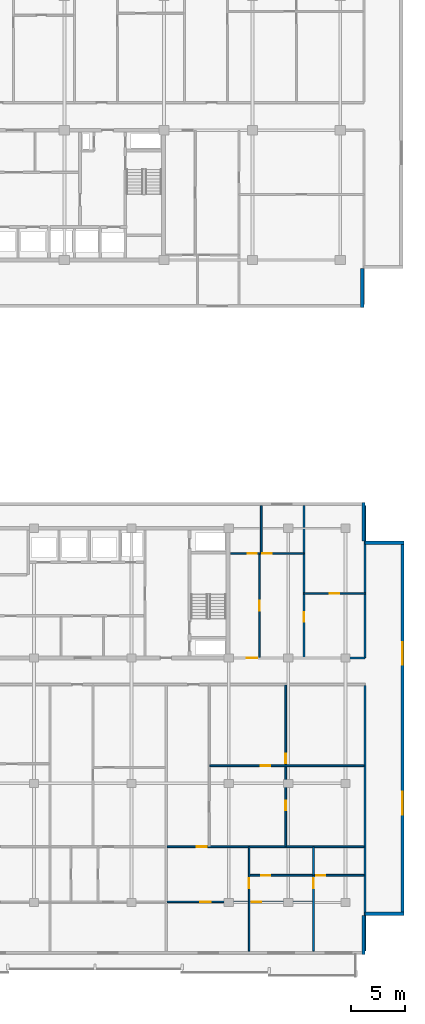
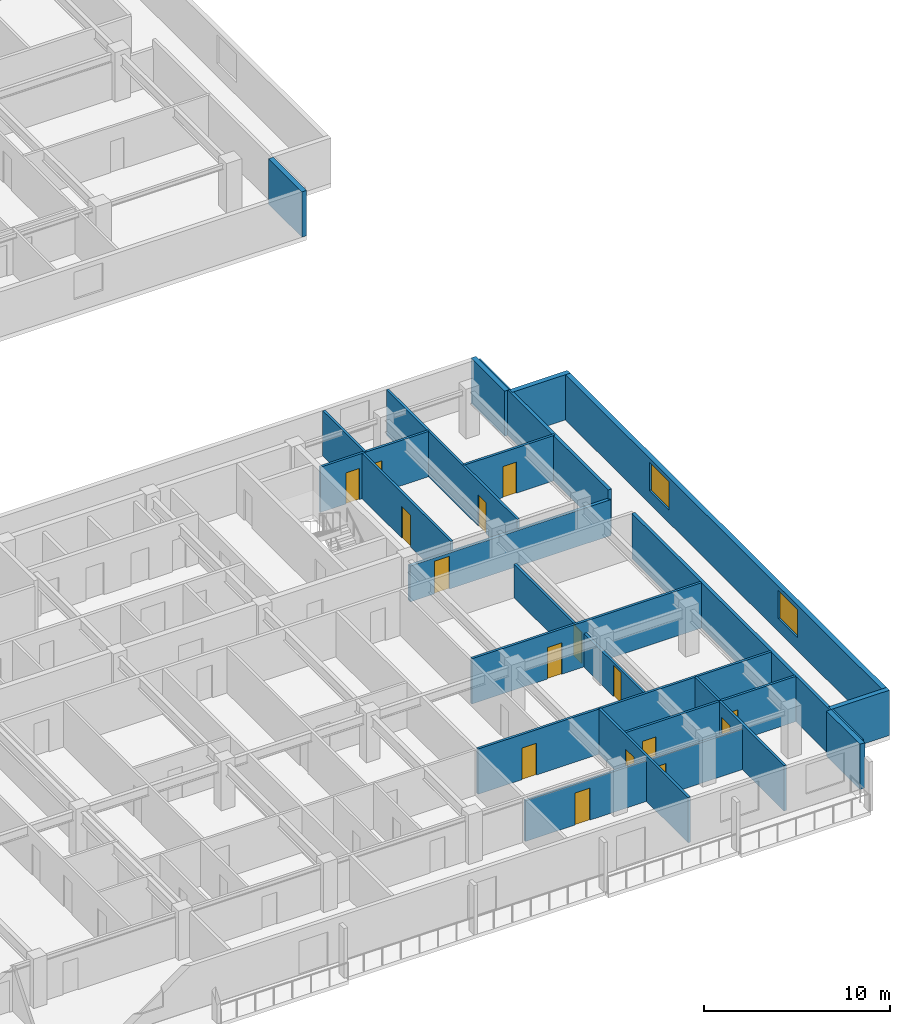
# One storey, part 9 of 21: 22 walls, 16 doors, 2 windows, 18 openings.
"""IFC4 building model written with IfcOpenShell, lengths in metres."""

import ifcopenshell
import ifcopenshell.guid

model = None  # the IFC model being written
_history = None  # IfcOwnerHistory: only IFC2X3 demands one
_inside = {}  # id of a spatial element -> (the spatial element, [elements in it])
_under = {}  # id of a project, library or spatial element -> (it, [spatial elements below it])
_declared = {}  # id of a project -> (the project, [libraries it declares])
_typed = {}  # id of a type object -> (the type object, [elements of that type])
_made_of = {}  # id of a material, layer set ... -> (it, [elements and type objects made of it])


def new_model(schema):
    """Start an empty IFC model of exactly this schema.

    Asked for "IFC4X3", IfcOpenShell would pick the latest addendum, in which some entities
    have other attributes; the version numbers below select the first issue.
    IFC2X3 requires an IfcOwnerHistory on every rooted entity: one is made here for all.
    """
    global model, _history
    if schema == "IFC4X3":
        model = ifcopenshell.file(schema_version=(4, 3, 0, 0))
    else:
        model = ifcopenshell.file(schema=schema)
    _inside.clear()
    _under.clear()
    _declared.clear()
    _typed.clear()
    _made_of.clear()
    _history = None
    if model.schema == "IFC2X3":
        org = make("IfcOrganization", Name="unknown")
        user = make(
            "IfcPersonAndOrganization",
            ThePerson=make("IfcPerson", FamilyName="unknown"),
            TheOrganization=org,
        )
        app = make(
            "IfcApplication",
            ApplicationDeveloper=org,
            Version="unknown",
            ApplicationFullName="unknown",
            ApplicationIdentifier="unknown",
        )
        _history = make(
            "IfcOwnerHistory",
            OwningUser=user,
            OwningApplication=app,
            ChangeAction="ADDED",
            CreationDate=0,
        )
    return model


def make(cls, **values):
    """One entity of the class cls with the attributes given. An attribute that is None is left unset."""
    return model.create_entity(
        cls, **{name: value for name, value in values.items() if value is not None}
    )


def rooted(cls, **values):
    """An entity with a GlobalId (a new one), such as an element, a storey or a relation."""
    return make(cls, GlobalId=ifcopenshell.guid.new(), OwnerHistory=_history, **values)


def si_unit(unit_type, name, prefix=None):
    """IfcSIUnit, for example si_unit("LENGTHUNIT", "METRE", prefix="MILLI")."""
    return make("IfcSIUnit", UnitType=unit_type, Prefix=prefix, Name=name)


def assignment(units):
    """IfcUnitAssignment: the units of a project."""
    return None if units is None else make("IfcUnitAssignment", Units=units)


def point(xyz):
    """IfcCartesianPoint."""
    return None if xyz is None else make("IfcCartesianPoint", Coordinates=xyz)


def direction(xyz):
    """IfcDirection."""
    return None if xyz is None else make("IfcDirection", DirectionRatios=xyz)


def frame(location, z_axis=None, x_axis=None):
    """IfcAxis2Placement3D, a coordinate frame: its origin and axes. An axis left out is left unset."""
    return make(
        "IfcAxis2Placement3D",
        Location=point(location),
        Axis=direction(z_axis),
        RefDirection=direction(x_axis),
    )


def frame_2d(location, x_axis=None):
    """IfcAxis2Placement2D, a coordinate frame in the plane: its origin and x axis."""
    return make(
        "IfcAxis2Placement2D", Location=point(location), RefDirection=direction(x_axis)
    )


def origin():
    """The frame at (0, 0, 0) with its axes left unset."""
    return frame((0.0, 0.0, 0.0))


def place(relative_to, where):
    """IfcLocalPlacement: puts the frame where relative to a parent placement (None: the world)."""
    return make(
        "IfcLocalPlacement", PlacementRelTo=relative_to, RelativePlacement=where
    )


def context(
    kind, dimensions, precision=None, world=None, true_north=None, identifier=None
):
    """IfcGeometricRepresentationContext, for example the 3D "Model" context."""
    return make(
        "IfcGeometricRepresentationContext",
        ContextIdentifier=identifier,
        ContextType=kind,
        CoordinateSpaceDimension=dimensions,
        Precision=precision,
        WorldCoordinateSystem=world,
        TrueNorth=true_north,
    )


def subcontext(parent, identifier, kind, view, scale=None):
    """IfcGeometricRepresentationSubContext, for example "Body" below "Model"."""
    return make(
        "IfcGeometricRepresentationSubContext",
        ContextIdentifier=identifier,
        ContextType=kind,
        ParentContext=parent,
        TargetScale=scale,
        TargetView=view,
    )


def project(units=None, contexts=None):
    """IfcProject with its units and contexts."""
    return rooted(
        "IfcProject",
        Name="project",
        RepresentationContexts=contexts,
        UnitsInContext=assignment(units),
    )


def spatial(cls, under=None, at=None, **own):
    """A site, building, storey or space (cls), placed at a placement, below another one or the project."""
    s = rooted(cls, ObjectPlacement=at, **own)
    if under is not None:
        _under.setdefault(under.id(), (under, []))[1].append(s)
    return s


def profile(cls, at=None, kind="AREA", **sizes):
    """A parametric profile (cls). Its sizes go by their IFC names, for example OverallWidth=200.0."""
    return make(cls, ProfileType=kind, Position=at, **sizes)


def rectangle(**sizes):
    """IfcRectangleProfileDef."""
    return profile("IfcRectangleProfileDef", **sizes)


def extrude(swept, where, along, depth):
    """IfcExtrudedAreaSolid: the profile swept, set in the frame where, extruded along a direction by depth."""
    return make(
        "IfcExtrudedAreaSolid",
        SweptArea=swept,
        Position=where,
        ExtrudedDirection=direction(along),
        Depth=depth,
    )


def shape(context_of_items, identifier, shape_type, items):
    """IfcShapeRepresentation: the items that make up one representation, for example the "Body"."""
    return make(
        "IfcShapeRepresentation",
        ContextOfItems=context_of_items,
        RepresentationIdentifier=identifier,
        RepresentationType=shape_type,
        Items=items,
    )


def material(Name=None, Category=None):
    """IfcMaterial."""
    return make("IfcMaterial", Name=Name, Category=Category)


def layer(
    of_material, thickness, ventilated=None, Name=None, Category=None, Priority=None
):
    """IfcMaterialLayer: one layer of a wall or slab, of a material (None: an air gap)."""
    return make(
        "IfcMaterialLayer",
        Material=of_material,
        LayerThickness=thickness,
        IsVentilated=ventilated,
        Name=Name,
        Category=Category,
        Priority=Priority,
    )


def layer_set(layers, Name=None):
    """IfcMaterialLayerSet."""
    return make("IfcMaterialLayerSet", MaterialLayers=layers, LayerSetName=Name)


def made_of(thing, what):
    """Note that an element or type object is made of a material, layer set ...; save() writes the relation."""
    if what is not None:
        _made_of.setdefault(what.id(), (what, []))[1].append(thing)
    return thing


def type_object(cls, material=None, **own):
    """A type object (cls), such as IfcWallType, which elements share."""
    return made_of(rooted(cls, **own), material)


def element(
    cls,
    number,
    at=None,
    inside=None,
    cuts=None,
    type_object=None,
    material=None,
    context=None,
    identifier="Body",
    shape_type=None,
    held_by="IfcProductDefinitionShape",
    body=None,
    shapes=None,
    **own,
):
    """One element of the class cls, such as IfcWall. Its Tag is "e" and its number.

    at: its placement. inside: the storey or other place that contains it. cuts: it is an
    opening in that element (IfcRelVoidsElement). A single representation is given by context,
    identifier, shape_type and body (its items); several are given by shapes. held_by: the class
    of the entity that holds the representations. save() writes the other relations.
    """
    e = rooted(cls, Tag="e%d" % number, ObjectPlacement=at, **own)
    if body is not None:
        shapes = [shape(context, identifier, shape_type, body)]
    if shapes is not None:
        e.Representation = make(held_by, Representations=shapes)
    if inside is not None:
        _inside.setdefault(inside.id(), (inside, []))[1].append(e)
    if cuts is not None:
        rooted(
            "IfcRelVoidsElement", RelatingBuildingElement=cuts, RelatedOpeningElement=e
        )
    if type_object is not None:
        _typed.setdefault(type_object.id(), (type_object, []))[1].append(e)
    return made_of(e, material)


def fill(opening, filler):
    """IfcRelFillsElement: the door or window that sits in an opening."""
    return rooted(
        "IfcRelFillsElement",
        RelatingOpeningElement=opening,
        RelatedBuildingElement=filler,
    )


def aggregate(whole, parts):
    """IfcRelAggregates: a whole, such as a stair, and the parts it consists of."""
    return rooted("IfcRelAggregates", RelatingObject=whole, RelatedObjects=parts)


def save(model, path):
    """Write the relations noted so far, then the file.

    IfcRelAggregates (storeys below a building ...), IfcRelContainedInSpatialStructure (elements
    in a storey), IfcRelDefinesByType, IfcRelAssociatesMaterial and IfcRelDeclares: one each for
    every whole, place, type object, material and project.
    """
    for whole, parts in _under.values():
        aggregate(whole, parts)
    for where, things in _inside.values():
        rooted(
            "IfcRelContainedInSpatialStructure",
            RelatedElements=things,
            RelatingStructure=where,
        )
    for kind, things in _typed.values():
        rooted("IfcRelDefinesByType", RelatedObjects=things, RelatingType=kind)
    for what, things in _made_of.values():
        rooted("IfcRelAssociatesMaterial", RelatedObjects=things, RelatingMaterial=what)
    for by, libraries in _declared.values():
        rooted("IfcRelDeclares", RelatingContext=by, RelatedDefinitions=libraries)
    model.write(path)


model = new_model("IFC4")

# Units and contexts
model_context = context("Model", 3, precision=1e-05, world=origin(), true_north=direction((0.0, 1.0)))
body_context = subcontext(model_context, "Body", "Model", "MODEL_VIEW")
ifc_project = project(units=[si_unit("LENGTHUNIT", "METRE"), si_unit("AREAUNIT", "SQUARE_METRE"), si_unit("VOLUMEUNIT", "CUBIC_METRE"), si_unit("PLANEANGLEUNIT", "RADIAN"), si_unit("MASSUNIT", "GRAM", prefix="KILO")], contexts=[model_context])

# Site, building, storey
site_placement = place(None, origin())
site = spatial("IfcSite", under=ifc_project, at=site_placement, CompositionType="ELEMENT")
building_placement = place(site_placement, origin())
building = spatial("IfcBuilding", under=site, at=building_placement, Name="Korimba Cascade Residences", CompositionType="ELEMENT")
storey_placement = place(building_placement, frame((0.0, 0.0, 103.550048828125)))
storey = spatial("IfcBuildingStorey", under=building, at=storey_placement, Name="L29", CompositionType="ELEMENT", Elevation=103.550048828125)

# Walls
ifc_material_1 = material(Name="Precast concrete C40/50", Category="concrete")
ifc_layer_1 = layer(ifc_material_1, 0.300048828125)
ifc_layer_set_1 = layer_set([ifc_layer_1], Name="Precast concrete C40/50")
wall_type_1 = type_object("IfcWallType", Name="EW-STONE-300", PredefinedType="STANDARD", material=ifc_layer_set_1)
wall_1_placement = place(storey_placement, frame((130.449951171875, 50.800048828125, 0.0), z_axis=(0.0, 0.0, 1.0), x_axis=(0.0, 1.0, 0.0)))
element("IfcWall", 1, at=wall_1_placement, inside=storey, type_object=wall_type_1, Name="L29 T1 Perimeter Stone Wall E01", PredefinedType="STANDARD", context=body_context, shape_type="SweptSolid", body=[
    extrude(rectangle(XDim=3.599853515625, YDim=0.300048828125, at=frame_2d((1.7998046875, 0.0))), origin(), (0.0, 0.0, 1.0), 2.969970703125),
])
for number, where, z_axis, x_axis, name in (
    (2, (130.550048828125, -9.0, 0.0), (0.0, 0.0, 1.0), (0.0, 1.0, 0.0), "L29 T2 Perimeter Stone Wall E01"),
    (3, (130.699951171875, -5.25, 0.0), (0.0, 0.0, 1.0), (1.0, 0.0, 0.0), "L29 T2 Perimeter Stone Wall E02"),
):
    element("IfcWall", number, at=place(storey_placement, frame(where, z_axis=z_axis, x_axis=x_axis)), inside=storey, type_object=wall_type_1, Name=name, PredefinedType="STANDARD", context=body_context, shape_type="SweptSolid", body=[
        extrude(rectangle(XDim=3.60009765625, YDim=0.300048828125, at=frame_2d((1.800048828125, 0.0))), origin(), (0.0, 0.0, 1.0), 2.969970703125),
    ])

# Wall, openings, windows
wall_2_placement = place(storey_placement, frame((134.14990234375, -5.39990234375, 0.0), z_axis=(0.0, 0.0, 1.0), x_axis=(0.0, 1.0, 0.0)))
wall_2 = element("IfcWall", 4, at=wall_2_placement, inside=storey, type_object=wall_type_1, Name="L29 T2 Perimeter Stone Wall E03", PredefinedType="STANDARD", context=body_context, shape_type="SweptSolid", body=[
    extrude(rectangle(XDim=34.599853515625, YDim=0.300048828125, at=frame_2d((17.2998046875, 0.0))), origin(), (0.0, 0.0, 1.0), 2.969970703125),
])
opening_1_placement = place(wall_2_placement, frame((9.330078125, 0.0, 0.85009765625)))
opening_1 = element("IfcOpeningElement", 5, at=opening_1_placement, cuts=wall_2, Name="Opening W-03", PredefinedType="OPENING", context=body_context, shape_type="SweptSolid", body=[
    extrude(rectangle(XDim=2.10009765625, YDim=1.85009765625, at=frame_2d((1.050048828125, 0.925048828125))), frame((0.0, 0.16015625, 0.0), z_axis=(0.0, -1.0, 0.0), x_axis=(1.0, 0.0, 0.0)), (0.0, 0.0, 1.0), 0.320068359375),
])
opening_2_placement = place(wall_2_placement, frame((23.169921875, 0.0, 0.85009765625)))
opening_2 = element("IfcOpeningElement", 6, at=opening_2_placement, cuts=wall_2, Name="Opening W-03", PredefinedType="OPENING", context=body_context, shape_type="SweptSolid", body=[
    extrude(rectangle(XDim=2.10009765625, YDim=1.85009765625, at=frame_2d((1.050048828125, 0.925048828125))), frame((0.0, 0.16015625, 0.0), z_axis=(0.0, -1.0, 0.0), x_axis=(1.0, 0.0, 0.0)), (0.0, 0.0, 1.0), 0.320068359375),
])
ifc_material_2 = material(Name="Double-Glazed Aluminium Window", Category="aluminium")
window_type = type_object("IfcWindowType", Name="WIN-CRN-2100", PartitioningType="DOUBLE_PANEL_HORIZONTAL", PredefinedType="WINDOW", material=ifc_material_2)
window_1_placement = place(opening_1_placement, origin())
window_1 = element("IfcWindow", 7, at=window_1_placement, inside=storey, type_object=window_type, Name="L29 T2 End View Window 3.1", OverallHeight=1.85009765625, OverallWidth=2.10009765625, PartitioningType="DOUBLE_PANEL_HORIZONTAL", PredefinedType="WINDOW", context=body_context, shape_type="SweptSolid", body=[
    extrude(rectangle(XDim=2.10009765625, YDim=1.85009765625, at=frame_2d((1.050048828125, 0.925048828125))), frame((0.0, 0.030029296875, 0.0), z_axis=(0.0, -1.0, 0.0), x_axis=(1.0, 0.0, 0.0)), (0.0, 0.0, 1.0), 0.06005859375),
])
fill(opening_1, window_1)
window_2_placement = place(opening_2_placement, origin())
window_2 = element("IfcWindow", 8, at=window_2_placement, inside=storey, type_object=window_type, Name="L29 T2 End View Window 3.2", OverallHeight=1.85009765625, OverallWidth=2.10009765625, PartitioningType="DOUBLE_PANEL_HORIZONTAL", PredefinedType="WINDOW", context=body_context, shape_type="SweptSolid", body=[
    extrude(rectangle(XDim=2.10009765625, YDim=1.85009765625, at=frame_2d((1.050048828125, 0.925048828125))), frame((0.0, 0.030029296875, 0.0), z_axis=(0.0, -1.0, 0.0), x_axis=(1.0, 0.0, 0.0)), (0.0, 0.0, 1.0), 0.06005859375),
])
fill(opening_2, window_2)

# Walls
for number, where, z_axis, x_axis, name in (
    (9, (134.300048828125, 29.050048828125, 0.0), (0.0, 0.0, 1.0), (-1.0, 0.0, 0.0), "L29 T2 Perimeter Stone Wall E04"),
    (10, (130.550048828125, 29.199951171875, 0.0), (0.0, 0.0, 1.0), (0.0, 1.0, 0.0), "L29 T2 Perimeter Stone Wall E05"),
):
    element("IfcWall", number, at=place(storey_placement, frame(where, z_axis=z_axis, x_axis=x_axis)), inside=storey, type_object=wall_type_1, Name=name, PredefinedType="STANDARD", context=body_context, shape_type="SweptSolid", body=[
        extrude(rectangle(XDim=3.60009765625, YDim=0.300048828125, at=frame_2d((1.800048828125, 0.0))), origin(), (0.0, 0.0, 1.0), 2.969970703125),
    ])
ifc_layer_2 = layer(ifc_material_1, 0.199951171875)
ifc_layer_set_2 = layer_set([ifc_layer_2], Name="Precast concrete C40/50")
wall_type_2 = type_object("IfcWallType", Name="WAL-IT-200", PredefinedType="PARTITIONING", material=ifc_layer_set_2)
wall_3_placement = place(storey_placement, frame((130.699951171875, 18.39990234375, 0.0), z_axis=(0.0, 0.0, 1.0), x_axis=(0.0, 1.0, 0.0)))
element("IfcWall", 11, at=wall_3_placement, inside=storey, type_object=wall_type_2, Name="L29 Partition Wall WAL-L29-T2-FE-WR", PredefinedType="PARTITIONING", context=body_context, shape_type="SweptSolid", body=[
    extrude(rectangle(XDim=14.10009765625, YDim=0.199951171875, at=frame_2d((7.050048828125, 0.0))), origin(), (0.0, 0.0, 1.0), 2.969970703125),
])

# Wall, opening, door
wall_4_placement = place(storey_placement, frame((118.25, 18.39990234375, 0.0), z_axis=(0.0, 0.0, 1.0), x_axis=(1.0, 0.0, 0.0)))
wall_4 = element("IfcWall", 12, at=wall_4_placement, inside=storey, type_object=wall_type_2, Name="L29 Partition Wall WAL-L29-T2-FE-S", PredefinedType="PARTITIONING", context=body_context, shape_type="SweptSolid", body=[
    extrude(rectangle(XDim=12.449951171875, YDim=0.199951171875, at=frame_2d((6.22509765625, 0.0))), origin(), (0.0, 0.0, 1.0), 2.357666015625),
])
opening_3_placement = place(wall_4_placement, frame((1.510009765625, 0.0, 0.0)))
opening_3 = element("IfcOpeningElement", 13, at=opening_3_placement, cuts=wall_4, Name="Opening D-UN1", PredefinedType="OPENING", context=body_context, shape_type="SweptSolid", body=[
    extrude(rectangle(XDim=0.949951171875, YDim=2.14990234375, at=frame_2d((0.47509765625, 1.074951171875))), frame((0.0, 0.10986328125, 0.0), z_axis=(0.0, -1.0, 0.0), x_axis=(1.0, 0.0, 0.0)), (0.0, 0.0, 1.0), 0.219970703125),
])
ifc_material_3 = material(Name="Fire-Rated Hardwood Apartment Entrance Door", Category="wood")
door_type_1 = type_object("IfcDoorType", Name="DR-FD60-950", OperationType="NOTDEFINED", PredefinedType="DOOR", material=ifc_material_3)
door_1_placement = place(opening_3_placement, origin())
door_1 = element("IfcDoor", 14, at=door_1_placement, inside=storey, type_object=door_type_1, Name="L29-T2-FE Entrance Door", OperationType="SINGLE_SWING_LEFT", OverallHeight=2.14990234375, OverallWidth=0.949951171875, PredefinedType="DOOR", context=body_context, shape_type="SweptSolid", body=[
    extrude(rectangle(XDim=0.949951171875, YDim=2.14990234375, at=frame_2d((0.47509765625, 1.074951171875))), frame((0.0, 0.02490234375, 0.0), z_axis=(0.0, -1.0, 0.0), x_axis=(1.0, 0.0, 0.0)), (0.0, 0.0, 1.0), 0.050048828125),
])
fill(opening_3, door_1)

# Wall
wall_5_placement = place(storey_placement, frame((130.699951171875, -8.699951171875, 0.0), z_axis=(0.0, 0.0, 1.0), x_axis=(0.0, 1.0, 0.0)))
element("IfcWall", 15, at=wall_5_placement, inside=storey, type_object=wall_type_2, Name="L29 Partition Wall WAL-L29-T2-BNDWR", PredefinedType="PARTITIONING", context=body_context, shape_type="SweptSolid", body=[
    extrude(rectangle(XDim=24.570068359375, YDim=0.199951171875, at=frame_2d((12.28515625, 0.0))), origin(), (0.0, 0.0, 1.0), 2.969970703125),
])

# Wall, opening, door
ifc_material_4 = material(Name="Insulated Acoustic Stud Partition", Category="gypsum")
ifc_layer_3 = layer(ifc_material_4, 0.14990234375)
ifc_layer_set_3 = layer_set([ifc_layer_3], Name="Insulated Acoustic Stud Partition")
wall_type_3 = type_object("IfcWallType", Name="WAL-PART-150", PredefinedType="PARTITIONING", material=ifc_layer_set_3)
wall_6_placement = place(storey_placement, frame((125.050048828125, 24.35009765625, 0.0), z_axis=(0.0, 0.0, 1.0), x_axis=(1.0, 0.0, 0.0)))
wall_6 = element("IfcWall", 16, at=wall_6_placement, inside=storey, type_object=wall_type_3, Name="L29 Partition Wall WAL-L29-T2-FE-STH", PredefinedType="PARTITIONING", context=body_context, shape_type="SweptSolid", body=[
    extrude(rectangle(XDim=5.64990234375, YDim=0.14990234375, at=frame_2d((2.824951171875, 0.0))), origin(), (0.0, 0.0, 1.0), 2.969970703125),
])
opening_4_placement = place(wall_6_placement, frame((2.405029296875, 0.0, 0.0)))
opening_4 = element("IfcOpeningElement", 17, at=opening_4_placement, cuts=wall_6, Name="Opening D-BT1", PredefinedType="OPENING", context=body_context, shape_type="SweptSolid", body=[
    extrude(rectangle(XDim=0.840087890625, YDim=2.0400390625, at=frame_2d((0.419921875, 1.02001953125))), frame((0.0, 0.0849609375, 0.0), z_axis=(0.0, -1.0, 0.0), x_axis=(1.0, 0.0, 0.0)), (0.0, 0.0, 1.0), 0.169921875),
])
ifc_material_5 = material(Name="Moisture-Resistant Bathroom Timber Door", Category="wood")
door_type_2 = type_object("IfcDoorType", Name="DR-INT-850", OperationType="NOTDEFINED", PredefinedType="DOOR", material=ifc_material_5)
door_2_placement = place(opening_4_placement, origin())
door_2 = element("IfcDoor", 18, at=door_2_placement, inside=storey, type_object=door_type_2, Name="L29-T2-FE Dressing Store Door", OperationType="SINGLE_SWING_RIGHT", OverallHeight=2.0400390625, OverallWidth=0.840087890625, PredefinedType="DOOR", context=body_context, shape_type="SweptSolid", body=[
    extrude(rectangle(XDim=0.840087890625, YDim=2.0400390625, at=frame_2d((0.419921875, 1.02001953125))), frame((0.0, 0.02490234375, 0.0), z_axis=(0.0, -1.0, 0.0), x_axis=(1.0, 0.0, 0.0)), (0.0, 0.0, 1.0), 0.050048828125),
])
fill(opening_4, door_2)

wall_7_placement = place(storey_placement, frame((125.050048828125, 18.449951171875, 0.0), z_axis=(0.0, 0.0, 1.0), x_axis=(0.0, 1.0, 0.0)))
wall_7 = element("IfcWall", 19, at=wall_7_placement, inside=storey, type_object=wall_type_3, Name="L29 Partition Wall WAL-L29-T2-FE-STV", PredefinedType="PARTITIONING", context=body_context, shape_type="SweptSolid", body=[
    extrude(rectangle(XDim=14.050048828125, YDim=0.14990234375, at=frame_2d((7.02490234375, 0.0))), origin(), (0.0, 0.0, 1.0), 2.969970703125),
])
opening_5_placement = place(wall_7_placement, frame((3.320068359375, 0.0, 0.0)))
opening_5 = element("IfcOpeningElement", 20, at=opening_5_placement, cuts=wall_7, Name="Opening D-IN2", PredefinedType="OPENING", context=body_context, shape_type="SweptSolid", body=[
    extrude(rectangle(XDim=0.8798828125, YDim=2.06005859375, at=frame_2d((0.43994140625, 1.030029296875))), frame((0.0, 0.0849609375, 0.0), z_axis=(0.0, -1.0, 0.0), x_axis=(1.0, 0.0, 0.0)), (0.0, 0.0, 1.0), 0.169921875),
])
ifc_material_6 = material(Name="Acoustic Timber Bedroom Door", Category="wood")
door_type_3 = type_object("IfcDoorType", Name="DR-INT-880", OperationType="NOTDEFINED", PredefinedType="DOOR", material=ifc_material_6)
door_3_placement = place(opening_5_placement, origin())
door_3 = element("IfcDoor", 21, at=door_3_placement, inside=storey, type_object=door_type_3, Name="L29-T2-FE Study Door", OperationType="SINGLE_SWING_LEFT", OverallHeight=2.06005859375, OverallWidth=0.8798828125, PredefinedType="DOOR", context=body_context, shape_type="SweptSolid", body=[
    extrude(rectangle(XDim=0.8798828125, YDim=2.06005859375, at=frame_2d((0.43994140625, 1.030029296875))), frame((0.0, 0.02490234375, 0.0), z_axis=(0.0, -1.0, 0.0), x_axis=(1.0, 0.0, 0.0)), (0.0, 0.0, 1.0), 0.050048828125),
])
fill(opening_5, door_3)

wall_8_placement = place(storey_placement, frame((120.929931640625, 18.449951171875, 0.0), z_axis=(0.0, 0.0, 1.0), x_axis=(0.0, 1.0, 0.0)))
wall_8 = element("IfcWall", 22, at=wall_8_placement, inside=storey, type_object=wall_type_3, Name="L29 Partition Wall WAL-L29-T2-FE-VS", PredefinedType="PARTITIONING", context=body_context, shape_type="SweptSolid", body=[
    extrude(rectangle(XDim=9.60009765625, YDim=0.14990234375, at=frame_2d((4.800048828125, 0.0))), origin(), (0.0, 0.0, 1.0), 2.969970703125),
])
opening_6_placement = place(wall_8_placement, frame((4.340087890625, 0.0, 0.0)))
opening_6 = element("IfcOpeningElement", 23, at=opening_6_placement, cuts=wall_8, Name="Opening D-IN1", PredefinedType="OPENING", context=body_context, shape_type="SweptSolid", body=[
    extrude(rectangle(XDim=0.919921875, YDim=2.080078125, at=frame_2d((0.4599609375, 1.0400390625))), frame((0.0, 0.0849609375, 0.0), z_axis=(0.0, -1.0, 0.0), x_axis=(1.0, 0.0, 0.0)), (0.0, 0.0, 1.0), 0.169921875),
])
ifc_material_7 = material(Name="Acoustic Timber Living Door", Category="wood")
door_type_4 = type_object("IfcDoorType", Name="DR-INT-920", OperationType="NOTDEFINED", PredefinedType="DOOR", material=ifc_material_7)
door_4_placement = place(opening_6_placement, origin())
door_4 = element("IfcDoor", 24, at=door_4_placement, inside=storey, type_object=door_type_4, Name="L29-T2-FE Living Door", OperationType="SINGLE_SWING_RIGHT", OverallHeight=2.080078125, OverallWidth=0.919921875, PredefinedType="DOOR", context=body_context, shape_type="SweptSolid", body=[
    extrude(rectangle(XDim=0.919921875, YDim=2.080078125, at=frame_2d((0.4599609375, 1.0400390625))), frame((0.0, 0.02490234375, 0.0), z_axis=(0.0, -1.0, 0.0), x_axis=(1.0, 0.0, 0.0)), (0.0, 0.0, 1.0), 0.050048828125),
])
fill(opening_6, door_4)

# Wall
wall_9_placement = place(storey_placement, frame((121.10009765625, 28.050048828125, 0.0), z_axis=(0.0, 0.0, 1.0), x_axis=(0.0, 1.0, 0.0)))
element("IfcWall", 25, at=wall_9_placement, inside=storey, type_object=wall_type_3, Name="L29 Partition Wall WAL-L29-T2-FE-VN", PredefinedType="PARTITIONING", context=body_context, shape_type="SweptSolid", body=[
    extrude(rectangle(XDim=4.449951171875, YDim=0.14990234375, at=frame_2d((2.22509765625, 0.0))), origin(), (0.0, 0.0, 1.0), 2.969970703125),
])

# Wall, openings, doors
wall_10_placement = place(storey_placement, frame((118.27001953125, 28.050048828125, 0.0), z_axis=(0.0, 0.0, 1.0), x_axis=(1.0, 0.0, 0.0)))
wall_10 = element("IfcWall", 26, at=wall_10_placement, inside=storey, type_object=wall_type_3, Name="L29 Partition Wall WAL-L29-T2-FE-H", PredefinedType="PARTITIONING", context=body_context, shape_type="SweptSolid", body=[
    extrude(rectangle(XDim=6.760009765625, YDim=0.14990234375, at=frame_2d((3.3798828125, 0.0))), origin(), (0.0, 0.0, 1.0), 2.969970703125),
])
opening_7_placement = place(wall_10_placement, frame((1.58740234375, 0.0, 0.0)))
opening_7 = element("IfcOpeningElement", 27, at=opening_7_placement, cuts=wall_10, Name="Opening D-BT1", PredefinedType="OPENING", context=body_context, shape_type="SweptSolid", body=[
    extrude(rectangle(XDim=0.840087890625, YDim=2.0400390625, at=frame_2d((0.419921875, 1.02001953125))), frame((0.0, 0.0849609375, 0.0), z_axis=(0.0, -1.0, 0.0), x_axis=(1.0, 0.0, 0.0)), (0.0, 0.0, 1.0), 0.169921875),
])
opening_8_placement = place(wall_10_placement, frame((2.93994140625, 0.0, 0.0)))
opening_8 = element("IfcOpeningElement", 28, at=opening_8_placement, cuts=wall_10, Name="Opening D-IN2", PredefinedType="OPENING", context=body_context, shape_type="SweptSolid", body=[
    extrude(rectangle(XDim=0.8798828125, YDim=2.06005859375, at=frame_2d((0.43994140625, 1.030029296875))), frame((0.0, 0.0849609375, 0.0), z_axis=(0.0, -1.0, 0.0), x_axis=(1.0, 0.0, 0.0)), (0.0, 0.0, 1.0), 0.169921875),
])
door_5_placement = place(opening_7_placement, origin())
door_5 = element("IfcDoor", 29, at=door_5_placement, inside=storey, type_object=door_type_2, Name="L29-T2-FE Bathroom Door", OperationType="SINGLE_SWING_LEFT", OverallHeight=2.0400390625, OverallWidth=0.840087890625, PredefinedType="DOOR", context=body_context, shape_type="SweptSolid", body=[
    extrude(rectangle(XDim=0.840087890625, YDim=2.0400390625, at=frame_2d((0.419921875, 1.02001953125))), frame((0.0, 0.02490234375, 0.0), z_axis=(0.0, -1.0, 0.0), x_axis=(1.0, 0.0, 0.0)), (0.0, 0.0, 1.0), 0.050048828125),
])
fill(opening_7, door_5)
door_6_placement = place(opening_8_placement, origin())
door_6 = element("IfcDoor", 30, at=door_6_placement, inside=storey, type_object=door_type_3, Name="L29-T2-FE Bedroom Door", OperationType="SINGLE_SWING_RIGHT", OverallHeight=2.06005859375, OverallWidth=0.8798828125, PredefinedType="DOOR", context=body_context, shape_type="SweptSolid", body=[
    extrude(rectangle(XDim=0.8798828125, YDim=2.06005859375, at=frame_2d((0.43994140625, 1.030029296875))), frame((0.0, 0.02490234375, 0.0), z_axis=(0.0, -1.0, 0.0), x_axis=(1.0, 0.0, 0.0)), (0.0, 0.0, 1.0), 0.050048828125),
])
fill(opening_8, door_6)

wall_11_placement = place(storey_placement, frame((123.367431640625, 0.989990234375, 0.0), z_axis=(0.0, 0.0, 1.0), x_axis=(0.0, 1.0, 0.0)))
wall_11 = element("IfcWall", 31, at=wall_11_placement, inside=storey, type_object=wall_type_3, Name="L29 Partition Wall WAL-L29-T2-U04-FMV", PredefinedType="PARTITIONING", context=body_context, shape_type="SweptSolid", body=[
    extrude(rectangle(XDim=14.89990234375, YDim=0.14990234375, at=frame_2d((7.449951171875, 0.0))), origin(), (0.0, 0.0, 1.0), 2.2001953125),
])
opening_9_placement = place(wall_11_placement, frame((3.35498046875, 0.0, 0.0)))
opening_9 = element("IfcOpeningElement", 32, at=opening_9_placement, cuts=wall_11, Name="Opening D-BT1", PredefinedType="OPENING", context=body_context, shape_type="SweptSolid", body=[
    extrude(rectangle(XDim=0.840087890625, YDim=2.0400390625, at=frame_2d((0.419921875, 1.02001953125))), frame((0.0, 0.0849609375, 0.0), z_axis=(0.0, -1.0, 0.0), x_axis=(1.0, 0.0, 0.0)), (0.0, 0.0, 1.0), 0.169921875),
])
opening_10_placement = place(wall_11_placement, frame((7.699951171875, 0.0, 0.0)))
opening_10 = element("IfcOpeningElement", 33, at=opening_10_placement, cuts=wall_11, Name="Opening D-IN2", PredefinedType="OPENING", context=body_context, shape_type="SweptSolid", body=[
    extrude(rectangle(XDim=0.8798828125, YDim=2.06005859375, at=frame_2d((0.43994140625, 1.030029296875))), frame((0.0, 0.0849609375, 0.0), z_axis=(0.0, -1.0, 0.0), x_axis=(1.0, 0.0, 0.0)), (0.0, 0.0, 1.0), 0.169921875),
])
door_7_placement = place(opening_9_placement, origin())
door_7 = element("IfcDoor", 34, at=door_7_placement, inside=storey, type_object=door_type_2, Name="L29-T2-U04 Wardrobe Door", OperationType="SINGLE_SWING_LEFT", OverallHeight=2.0400390625, OverallWidth=0.840087890625, PredefinedType="DOOR", context=body_context, shape_type="SweptSolid", body=[
    extrude(rectangle(XDim=0.840087890625, YDim=2.0400390625, at=frame_2d((0.419921875, 1.02001953125))), frame((0.0, 0.02490234375, 0.0), z_axis=(0.0, -1.0, 0.0), x_axis=(1.0, 0.0, 0.0)), (0.0, 0.0, 1.0), 0.050048828125),
])
fill(opening_9, door_7)
door_8_placement = place(opening_10_placement, origin())
door_8 = element("IfcDoor", 35, at=door_8_placement, inside=storey, type_object=door_type_3, Name="L29-T2-U04 Music Lounge Door", OperationType="SINGLE_SWING_RIGHT", OverallHeight=2.06005859375, OverallWidth=0.8798828125, PredefinedType="DOOR", context=body_context, shape_type="SweptSolid", body=[
    extrude(rectangle(XDim=0.8798828125, YDim=2.06005859375, at=frame_2d((0.43994140625, 1.030029296875))), frame((0.0, 0.02490234375, 0.0), z_axis=(0.0, -1.0, 0.0), x_axis=(1.0, 0.0, 0.0)), (0.0, 0.0, 1.0), 0.050048828125),
])
fill(opening_10, door_8)

# Wall, opening, door
wall_12_placement = place(storey_placement, frame((116.35498046875, 8.43994140625, 0.0), z_axis=(0.0, 0.0, 1.0), x_axis=(1.0, 0.0, 0.0)))
wall_12 = element("IfcWall", 36, at=wall_12_placement, inside=storey, type_object=wall_type_3, Name="L29 Partition Wall WAL-L29-T2-U04-FMH", PredefinedType="PARTITIONING", context=body_context, shape_type="SweptSolid", body=[
    extrude(rectangle(XDim=14.26513671875, YDim=0.14990234375, at=frame_2d((7.132568359375, 0.0))), origin(), (0.0, 0.0, 1.0), 2.969970703125),
])
opening_11_placement = place(wall_12_placement, frame((4.688720703125, 0.0, 0.0)))
opening_11 = element("IfcOpeningElement", 37, at=opening_11_placement, cuts=wall_12, Name="Opening D-IN2", PredefinedType="OPENING", context=body_context, shape_type="SweptSolid", body=[
    extrude(rectangle(XDim=0.8798828125, YDim=2.06005859375, at=frame_2d((0.43994140625, 1.030029296875))), frame((0.0, 0.0849609375, 0.0), z_axis=(0.0, -1.0, 0.0), x_axis=(1.0, 0.0, 0.0)), (0.0, 0.0, 1.0), 0.169921875),
])
door_9_placement = place(opening_11_placement, origin())
door_9 = element("IfcDoor", 38, at=door_9_placement, inside=storey, type_object=door_type_3, Name="L29-T2-U04 Library Salon Door", OperationType="SINGLE_SWING_LEFT", OverallHeight=2.06005859375, OverallWidth=0.8798828125, PredefinedType="DOOR", context=body_context, shape_type="SweptSolid", body=[
    extrude(rectangle(XDim=0.8798828125, YDim=2.06005859375, at=frame_2d((0.43994140625, 1.030029296875))), frame((0.0, 0.02490234375, 0.0), z_axis=(0.0, -1.0, 0.0), x_axis=(1.0, 0.0, 0.0)), (0.0, 0.0, 1.0), 0.050048828125),
])
fill(opening_11, door_9)

wall_13_placement = place(storey_placement, frame((119.97998046875, -8.699951171875, 0.0), z_axis=(0.0, 0.0, 1.0), x_axis=(0.0, 1.0, 0.0)))
wall_13 = element("IfcWall", 39, at=wall_13_placement, inside=storey, type_object=wall_type_3, Name="L29 Partition Wall WAL-L29-T2-U04-V1", PredefinedType="PARTITIONING", context=body_context, shape_type="SweptSolid", body=[
    extrude(rectangle(XDim=9.60986328125, YDim=0.14990234375, at=frame_2d((4.804931640625, 0.0))), origin(), (0.0, 0.0, 1.0), 2.969970703125),
])
opening_12_placement = place(wall_13_placement, frame((5.81005859375, 0.0, 0.0)))
opening_12 = element("IfcOpeningElement", 40, at=opening_12_placement, cuts=wall_13, Name="Opening D-IN1", PredefinedType="OPENING", context=body_context, shape_type="SweptSolid", body=[
    extrude(rectangle(XDim=0.919921875, YDim=2.080078125, at=frame_2d((0.4599609375, 1.0400390625))), frame((0.0, 0.0849609375, 0.0), z_axis=(0.0, -1.0, 0.0), x_axis=(1.0, 0.0, 0.0)), (0.0, 0.0, 1.0), 0.169921875),
])
door_10_placement = place(opening_12_placement, origin())
door_10 = element("IfcDoor", 41, at=door_10_placement, inside=storey, type_object=door_type_4, Name="L29-T2-U04 Hallway Door", OperationType="SINGLE_SWING_LEFT", OverallHeight=2.080078125, OverallWidth=0.919921875, PredefinedType="DOOR", context=body_context, shape_type="SweptSolid", body=[
    extrude(rectangle(XDim=0.919921875, YDim=2.080078125, at=frame_2d((0.4599609375, 1.0400390625))), frame((0.0, 0.02490234375, 0.0), z_axis=(0.0, -1.0, 0.0), x_axis=(1.0, 0.0, 0.0)), (0.0, 0.0, 1.0), 0.050048828125),
])
fill(opening_12, door_10)

# Wall
wall_14_placement = place(storey_placement, frame((125.929931640625, -1.669921875, 0.0), z_axis=(0.0, 0.0, 1.0), x_axis=(0.0, 1.0, 0.0)))
element("IfcWall", 42, at=wall_14_placement, inside=storey, type_object=wall_type_3, Name="L29 Partition Wall WAL-L29-T2-U04-VBATH", PredefinedType="PARTITIONING", context=body_context, shape_type="SweptSolid", body=[
    extrude(rectangle(XDim=2.579833984375, YDim=0.14990234375, at=frame_2d((1.2900390625, 0.0))), origin(), (0.0, 0.0, 1.0), 2.969970703125),
])

# Wall, opening, door
wall_15_placement = place(storey_placement, frame((125.929931640625, -8.699951171875, 0.0), z_axis=(0.0, 0.0, 1.0), x_axis=(0.0, 1.0, 0.0)))
wall_15 = element("IfcWall", 43, at=wall_15_placement, inside=storey, type_object=wall_type_3, Name="L29 Partition Wall WAL-L29-T2-U04-V2FULL", PredefinedType="PARTITIONING", context=body_context, shape_type="SweptSolid", body=[
    extrude(rectangle(XDim=6.989990234375, YDim=0.14990234375, at=frame_2d((3.4951171875, 0.0))), origin(), (0.0, 0.0, 1.0), 2.969970703125),
])
opening_13_placement = place(wall_15_placement, frame((5.81005859375, 0.0, 0.0)))
opening_13 = element("IfcOpeningElement", 44, at=opening_13_placement, cuts=wall_15, Name="Opening D-IN1", PredefinedType="OPENING", context=body_context, shape_type="SweptSolid", body=[
    extrude(rectangle(XDim=0.919921875, YDim=2.080078125, at=frame_2d((0.4599609375, 1.0400390625))), frame((0.0, 0.0849609375, 0.0), z_axis=(0.0, -1.0, 0.0), x_axis=(1.0, 0.0, 0.0)), (0.0, 0.0, 1.0), 0.169921875),
])
door_11_placement = place(opening_13_placement, origin())
door_11 = element("IfcDoor", 45, at=door_11_placement, inside=storey, type_object=door_type_4, Name="L29-T2-U04 Master Bedroom Door", OperationType="SINGLE_SWING_RIGHT", OverallHeight=2.080078125, OverallWidth=0.919921875, PredefinedType="DOOR", context=body_context, shape_type="SweptSolid", body=[
    extrude(rectangle(XDim=0.919921875, YDim=2.080078125, at=frame_2d((0.4599609375, 1.0400390625))), frame((0.0, 0.02490234375, 0.0), z_axis=(0.0, -1.0, 0.0), x_axis=(1.0, 0.0, 0.0)), (0.0, 0.0, 1.0), 0.050048828125),
])
fill(opening_13, door_11)

# Wall, openings, doors
wall_16_placement = place(storey_placement, frame((120.02001953125, -1.68994140625, 0.0), z_axis=(0.0, 0.0, 1.0), x_axis=(1.0, 0.0, 0.0)))
wall_16 = element("IfcWall", 46, at=wall_16_placement, inside=storey, type_object=wall_type_3, Name="L29 Partition Wall WAL-L29-T2-U04-HWALL", PredefinedType="PARTITIONING", context=body_context, shape_type="SweptSolid", body=[
    extrude(rectangle(XDim=10.60009765625, YDim=0.14990234375, at=frame_2d((5.300048828125, 0.0))), origin(), (0.0, 0.0, 1.0), 2.969970703125),
])
opening_14_placement = place(wall_16_placement, frame((1.072509765625, 0.0, 0.0)))
opening_14 = element("IfcOpeningElement", 47, at=opening_14_placement, cuts=wall_16, Name="Opening D-BT1", PredefinedType="OPENING", context=body_context, shape_type="SweptSolid", body=[
    extrude(rectangle(XDim=0.840087890625, YDim=2.0400390625, at=frame_2d((0.419921875, 1.02001953125))), frame((0.0, 0.0849609375, 0.0), z_axis=(0.0, -1.0, 0.0), x_axis=(1.0, 0.0, 0.0)), (0.0, 0.0, 1.0), 0.169921875),
])
opening_15_placement = place(wall_16_placement, frame((6.159912109375, 0.0, 0.0)))
opening_15 = element("IfcOpeningElement", 48, at=opening_15_placement, cuts=wall_16, Name="Opening D-BT1", PredefinedType="OPENING", context=body_context, shape_type="SweptSolid", body=[
    extrude(rectangle(XDim=0.840087890625, YDim=2.0400390625, at=frame_2d((0.419921875, 1.02001953125))), frame((0.0, 0.0849609375, 0.0), z_axis=(0.0, -1.0, 0.0), x_axis=(1.0, 0.0, 0.0)), (0.0, 0.0, 1.0), 0.169921875),
])
door_12_placement = place(opening_14_placement, origin())
door_12 = element("IfcDoor", 49, at=door_12_placement, inside=storey, type_object=door_type_2, Name="L29-T2-U04 Family Bathroom Door", OperationType="SINGLE_SWING_LEFT", OverallHeight=2.0400390625, OverallWidth=0.840087890625, PredefinedType="DOOR", context=body_context, shape_type="SweptSolid", body=[
    extrude(rectangle(XDim=0.840087890625, YDim=2.0400390625, at=frame_2d((0.419921875, 1.02001953125))), frame((0.0, 0.02490234375, 0.0), z_axis=(0.0, -1.0, 0.0), x_axis=(1.0, 0.0, 0.0)), (0.0, 0.0, 1.0), 0.050048828125),
])
fill(opening_14, door_12)
door_13_placement = place(opening_15_placement, origin())
door_13 = element("IfcDoor", 50, at=door_13_placement, inside=storey, type_object=door_type_2, Name="L29-T2-U04 En-Suite Door", OperationType="SINGLE_SWING_RIGHT", OverallHeight=2.0400390625, OverallWidth=0.840087890625, PredefinedType="DOOR", context=body_context, shape_type="SweptSolid", body=[
    extrude(rectangle(XDim=0.840087890625, YDim=2.0400390625, at=frame_2d((0.419921875, 1.02001953125))), frame((0.0, 0.02490234375, 0.0), z_axis=(0.0, -1.0, 0.0), x_axis=(1.0, 0.0, 0.0)), (0.0, 0.0, 1.0), 0.050048828125),
])
fill(opening_15, door_13)

# Wall, opening, door
wall_17_placement = place(storey_placement, frame((112.405029296875, 0.949951171875, 0.0), z_axis=(0.0, 0.0, 1.0), x_axis=(1.0, 0.0, 0.0)))
wall_17 = element("IfcWall", 51, at=wall_17_placement, inside=storey, type_object=wall_type_3, Name="L29 Partition Wall WAL-L29-T2-U04-MW", PredefinedType="PARTITIONING", context=body_context, shape_type="SweptSolid", body=[
    extrude(rectangle(XDim=18.215087890625, YDim=0.14990234375, at=frame_2d((9.107421875, 0.0))), origin(), (0.0, 0.0, 1.0), 2.969970703125),
])
opening_16_placement = place(wall_17_placement, frame((2.719970703125, 0.0, 0.0)))
opening_16 = element("IfcOpeningElement", 52, at=opening_16_placement, cuts=wall_17, Name="Opening D-IN1", PredefinedType="OPENING", context=body_context, shape_type="SweptSolid", body=[
    extrude(rectangle(XDim=0.919921875, YDim=2.080078125, at=frame_2d((0.4599609375, 1.0400390625))), frame((0.0, 0.0849609375, 0.0), z_axis=(0.0, -1.0, 0.0), x_axis=(1.0, 0.0, 0.0)), (0.0, 0.0, 1.0), 0.169921875),
])
door_14_placement = place(opening_16_placement, origin())
door_14 = element("IfcDoor", 53, at=door_14_placement, inside=storey, type_object=door_type_4, Name="L29-T2-U04 Kitchen Door", OperationType="SINGLE_SWING_LEFT", OverallHeight=2.080078125, OverallWidth=0.919921875, PredefinedType="DOOR", context=body_context, shape_type="SweptSolid", body=[
    extrude(rectangle(XDim=0.919921875, YDim=2.080078125, at=frame_2d((0.4599609375, 1.0400390625))), frame((0.0, 0.02490234375, 0.0), z_axis=(0.0, -1.0, 0.0), x_axis=(1.0, 0.0, 0.0)), (0.0, 0.0, 1.0), 0.050048828125),
])
fill(opening_16, door_14)

# Wall, openings, doors
wall_18_placement = place(storey_placement, frame((112.405029296875, -4.14990234375, 0.0), z_axis=(0.0, 0.0, 1.0), x_axis=(1.0, 0.0, 0.0)))
wall_18 = element("IfcWall", 54, at=wall_18_placement, inside=storey, type_object=wall_type_3, Name="L29 Partition Wall WAL-L29-T2-U04-HZ", PredefinedType="PARTITIONING", context=body_context, shape_type="SweptSolid", body=[
    extrude(rectangle(XDim=13.52490234375, YDim=0.14990234375, at=frame_2d((6.762451171875, 0.0))), origin(), (0.0, 0.0, 1.0), 2.663330078125),
])
opening_17_placement = place(wall_18_placement, frame((3.072021484375, 0.0, 0.0)))
opening_17 = element("IfcOpeningElement", 55, at=opening_17_placement, cuts=wall_18, Name="Opening D-IN0", PredefinedType="OPENING", context=body_context, shape_type="SweptSolid", body=[
    extrude(rectangle(XDim=0.93994140625, YDim=2.10009765625, at=frame_2d((0.469970703125, 1.050048828125))), frame((0.0, 0.0849609375, 0.0), z_axis=(0.0, -1.0, 0.0), x_axis=(1.0, 0.0, 0.0)), (0.0, 0.0, 1.0), 0.169921875),
])
opening_18_placement = place(wall_18_placement, frame((7.824951171875, 0.0, 0.0)))
opening_18 = element("IfcOpeningElement", 56, at=opening_18_placement, cuts=wall_18, Name="Opening D-IN2", PredefinedType="OPENING", context=body_context, shape_type="SweptSolid", body=[
    extrude(rectangle(XDim=0.8798828125, YDim=2.06005859375, at=frame_2d((0.43994140625, 1.030029296875))), frame((0.0, 0.0849609375, 0.0), z_axis=(0.0, -1.0, 0.0), x_axis=(1.0, 0.0, 0.0)), (0.0, 0.0, 1.0), 0.169921875),
])
door_15_placement = place(opening_18_placement, origin())
door_15 = element("IfcDoor", 57, at=door_15_placement, inside=storey, type_object=door_type_3, Name="L29-T2-U04 Bedroom 2 Door", OperationType="SINGLE_SWING_LEFT", OverallHeight=2.06005859375, OverallWidth=0.8798828125, PredefinedType="DOOR", context=body_context, shape_type="SweptSolid", body=[
    extrude(rectangle(XDim=0.8798828125, YDim=2.06005859375, at=frame_2d((0.43994140625, 1.030029296875))), frame((0.0, 0.02490234375, 0.0), z_axis=(0.0, -1.0, 0.0), x_axis=(1.0, 0.0, 0.0)), (0.0, 0.0, 1.0), 0.050048828125),
])
fill(opening_18, door_15)
ifc_material_8 = material(Name="Acoustic Timber Living Archway Door", Category="wood")
door_type_5 = type_object("IfcDoorType", Name="DR-INT-950", OperationType="NOTDEFINED", PredefinedType="DOOR", material=ifc_material_8)
door_16_placement = place(opening_17_placement, origin())
door_16 = element("IfcDoor", 58, at=door_16_placement, inside=storey, type_object=door_type_5, Name="L29-T2-U04 Living Room Door", OperationType="SINGLE_SWING_RIGHT", OverallHeight=2.10009765625, OverallWidth=0.93994140625, PredefinedType="DOOR", context=body_context, shape_type="SweptSolid", body=[
    extrude(rectangle(XDim=0.93994140625, YDim=2.10009765625, at=frame_2d((0.469970703125, 1.050048828125))), frame((0.0, 0.02490234375, 0.0), z_axis=(0.0, -1.0, 0.0), x_axis=(1.0, 0.0, 0.0)), (0.0, 0.0, 1.0), 0.050048828125),
])
fill(opening_17, door_16)

save(model, "model.ifc")
